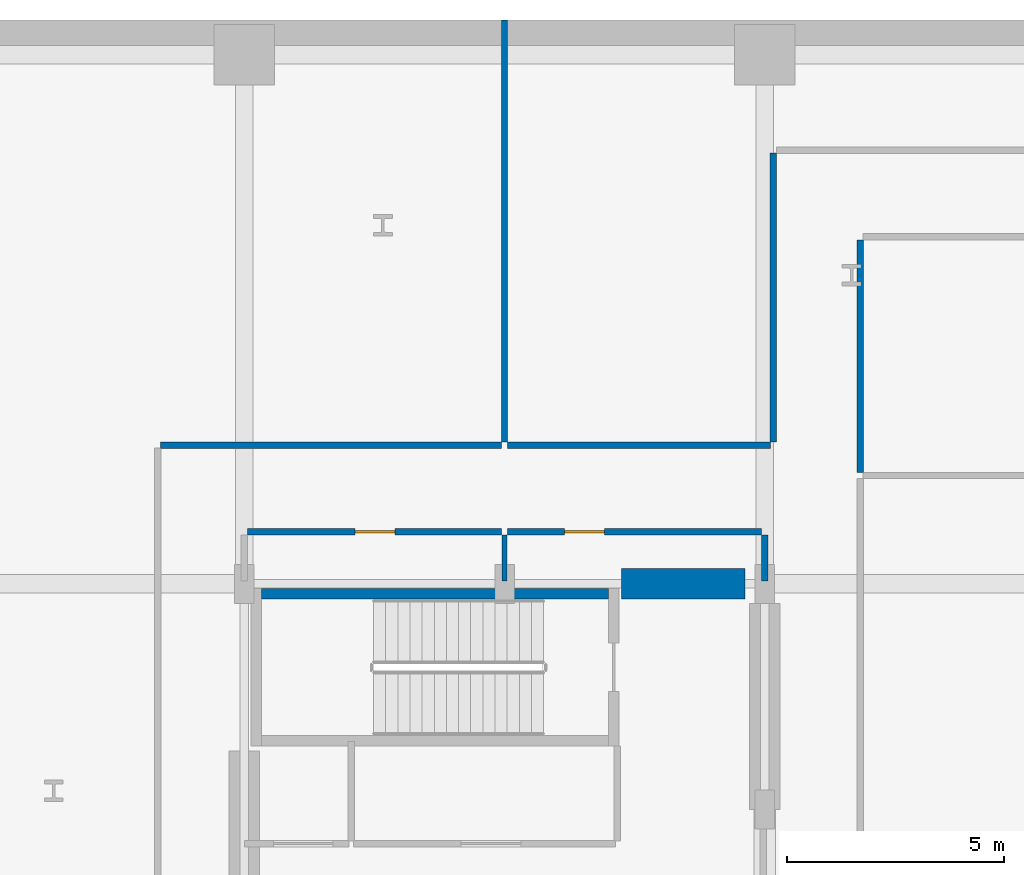
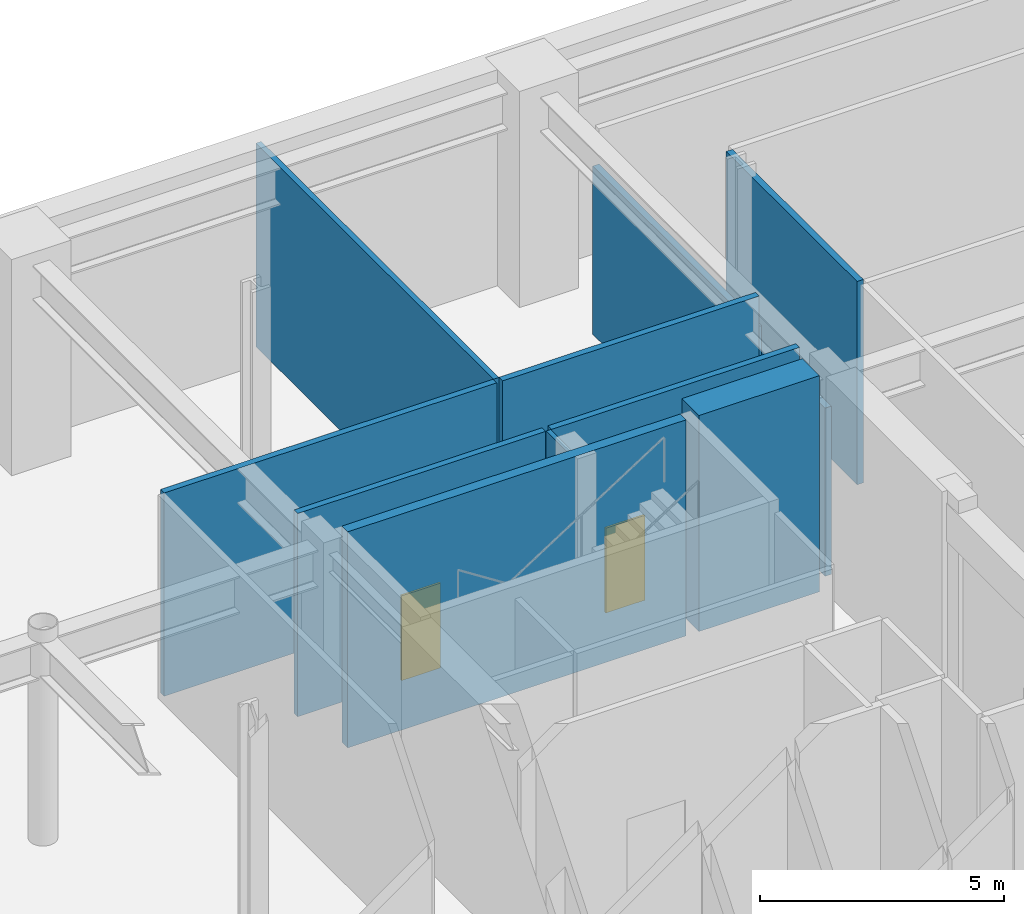
# One storey, part 18 of 25: 11 walls, 2 doors, 2 openings.
"""IFC4 building model written with IfcOpenShell, lengths in metres."""

from ifc_helpers import new_model, si_unit, direction, frame, frame_2d, origin, place, context, subcontext, project, spatial, rectangle, extrude, material, layer, layer_set, type_object, element, fill, save


model = new_model("IFC4")

# Units and contexts
model_context = context("Model", 3, precision=1e-05, world=origin(), true_north=direction((0.0, 1.0)))
body_context = subcontext(model_context, "Body", "Model", "MODEL_VIEW")
ifc_project = project(units=[si_unit("LENGTHUNIT", "METRE"), si_unit("AREAUNIT", "SQUARE_METRE"), si_unit("VOLUMEUNIT", "CUBIC_METRE"), si_unit("PLANEANGLEUNIT", "RADIAN"), si_unit("MASSUNIT", "GRAM", prefix="KILO")], contexts=[model_context])

# Site, building, storey
site_placement = place(None, origin())
site = spatial("IfcSite", under=ifc_project, at=site_placement, CompositionType="ELEMENT")
building_placement = place(site_placement, origin())
building = spatial("IfcBuilding", under=site, at=building_placement, Name="Soratama Intermodal Tower", CompositionType="ELEMENT")
storey_placement = place(building_placement, frame((0.0, 0.0, -5.39990234375)))
storey = spatial("IfcBuildingStorey", under=building, at=storey_placement, Name="B1", CompositionType="ELEMENT", Elevation=-5.39990234375)

# Walls
ifc_material_1 = material(Name="Fire-rated gypsum stud partition", Category="concrete")
ifc_layer_1 = layer(ifc_material_1, 0.14990234375)
ifc_layer_set_1 = layer_set([ifc_layer_1], Name="Fire-rated gypsum stud partition")
wall_type_1 = type_object("IfcWallType", Name="IW-PART-R150", PredefinedType="PARTITIONING", material=ifc_layer_set_1)
wall_1_placement = place(storey_placement, frame((30.669921875, 38.199951171875, 0.0), z_axis=(0.0, 0.0, 1.0), x_axis=(1.0, 0.0, 0.0)))
element("IfcWall", 1, at=wall_1_placement, inside=storey, type_object=wall_type_1, Name="B1 Partition W-B1-TP016", PredefinedType="PARTITIONING", context=body_context, shape_type="SweptSolid", body=[
    extrude(rectangle(XDim=7.860107421875, YDim=0.14990234375, at=frame_2d((3.93017578125, 0.0))), origin(), (0.0, 0.0, 1.0), 5.079833984375),
])
wall_2_placement = place(storey_placement, frame((44.800048828125, 38.27001953125, 0.0), z_axis=(0.0, 0.0, 1.0), x_axis=(0.0, 1.0, 0.0)))
element("IfcWall", 2, at=wall_2_placement, inside=storey, type_object=wall_type_1, Name="B1 Partition W-B1-TP019", PredefinedType="PARTITIONING", context=body_context, shape_type="SweptSolid", body=[
    extrude(rectangle(XDim=6.659912109375, YDim=0.14990234375, at=frame_2d((3.330078125, 0.0))), origin(), (0.0, 0.0, 1.0), 4.201904296875),
])
wall_3_placement = place(storey_placement, frame((38.669921875, 38.199951171875, 0.0), z_axis=(0.0, 0.0, 1.0), x_axis=(1.0, 0.0, 0.0)))
element("IfcWall", 3, at=wall_3_placement, inside=storey, type_object=wall_type_1, Name="B1 Partition W-B1-TP021", PredefinedType="PARTITIONING", context=body_context, shape_type="SweptSolid", body=[
    extrude(rectangle(XDim=6.06005859375, YDim=0.14990234375, at=frame_2d((3.030029296875, 0.0))), origin(), (0.0, 0.0, 1.0), 5.079833984375),
])

# Wall, opening, door
wall_4_placement = place(storey_placement, frame((38.530029296875, 36.199951171875, 0.0), z_axis=(0.0, 0.0, 1.0), x_axis=(-1.0, 0.0, 0.0)))
wall_4 = element("IfcWall", 4, at=wall_4_placement, inside=storey, type_object=wall_type_1, Name="B1 Partition W-B1-TP023", PredefinedType="PARTITIONING", context=body_context, shape_type="SweptSolid", body=[
    extrude(rectangle(XDim=5.860107421875, YDim=0.14990234375, at=frame_2d((2.93017578125, 0.0))), origin(), (0.0, 0.0, 1.0), 5.079833984375),
])
opening_1_placement = place(wall_4_placement, frame((2.455078125, 0.0, 0.0)))
opening_1 = element("IfcOpeningElement", 5, at=opening_1_placement, cuts=wall_4, Name="Opening ID-6", PredefinedType="OPENING", context=body_context, shape_type="SweptSolid", body=[
    extrude(rectangle(XDim=0.919921875, YDim=2.1201171875, at=frame_2d((0.4599609375, 1.06005859375))), frame((0.0, 0.0849609375, 0.0), z_axis=(0.0, -1.0, 0.0), x_axis=(1.0, 0.0, 0.0)), (0.0, 0.0, 1.0), 0.169921875),
])
ifc_material_2 = material(Name="Solid hardwood acoustic door", Category="wood")
door_type = type_object("IfcDoorType", Name="DR-ROOM-920", OperationType="NOTDEFINED", PredefinedType="DOOR", material=ifc_material_2)
door_1_placement = place(opening_1_placement, origin())
door_1 = element("IfcDoor", 6, at=door_1_placement, inside=storey, type_object=door_type, Name="B1 Door D-B1-TP008", OperationType="SINGLE_SWING_LEFT", OverallHeight=2.1201171875, OverallWidth=0.919921875, PredefinedType="DOOR", context=body_context, shape_type="SweptSolid", body=[
    extrude(rectangle(XDim=0.919921875, YDim=2.1201171875, at=frame_2d((0.4599609375, 1.06005859375))), frame((0.0, 0.02490234375, 0.0), z_axis=(0.0, -1.0, 0.0), x_axis=(1.0, 0.0, 0.0)), (0.0, 0.0, 1.0), 0.050048828125),
])
fill(opening_1, door_1)

wall_5_placement = place(storey_placement, frame((44.530029296875, 36.199951171875, 0.0), z_axis=(0.0, 0.0, 1.0), x_axis=(-1.0, 0.0, 0.0)))
wall_5 = element("IfcWall", 7, at=wall_5_placement, inside=storey, type_object=wall_type_1, Name="B1 Partition W-B1-TP024", PredefinedType="PARTITIONING", context=body_context, shape_type="SweptSolid", body=[
    extrude(rectangle(XDim=5.860107421875, YDim=0.14990234375, at=frame_2d((2.93017578125, 0.0))), origin(), (0.0, 0.0, 1.0), 5.079833984375),
])
opening_2_placement = place(wall_5_placement, frame((3.626953125, 0.0, 0.0)))
opening_2 = element("IfcOpeningElement", 8, at=opening_2_placement, cuts=wall_5, Name="Opening ID-6", PredefinedType="OPENING", context=body_context, shape_type="SweptSolid", body=[
    extrude(rectangle(XDim=0.919921875, YDim=2.1201171875, at=frame_2d((0.4599609375, 1.06005859375))), frame((0.0, 0.0849609375, 0.0), z_axis=(0.0, -1.0, 0.0), x_axis=(1.0, 0.0, 0.0)), (0.0, 0.0, 1.0), 0.169921875),
])
door_2_placement = place(opening_2_placement, origin())
door_2 = element("IfcDoor", 9, at=door_2_placement, inside=storey, type_object=door_type, Name="B1 Door D-B1-TP009", OperationType="SINGLE_SWING_RIGHT", OverallHeight=2.1201171875, OverallWidth=0.919921875, PredefinedType="DOOR", context=body_context, shape_type="SweptSolid", body=[
    extrude(rectangle(XDim=0.919921875, YDim=2.1201171875, at=frame_2d((0.4599609375, 1.06005859375))), frame((0.0, 0.02490234375, 0.0), z_axis=(0.0, -1.0, 0.0), x_axis=(1.0, 0.0, 0.0)), (0.0, 0.0, 1.0), 0.050048828125),
])
fill(opening_2, door_2)

# Walls
wall_6_placement = place(storey_placement, frame((46.800048828125, 42.929931640625, 0.0), z_axis=(0.0, 0.0, 1.0), x_axis=(0.0, -1.0, 0.0)))
element("IfcWall", 10, at=wall_6_placement, inside=storey, type_object=wall_type_1, Name="B1 Partition W-B1-TP025", PredefinedType="PARTITIONING", context=body_context, shape_type="SweptSolid", body=[
    extrude(rectangle(XDim=5.35986328125, YDim=0.14990234375, at=frame_2d((2.679931640625, 0.0))), origin(), (0.0, 0.0, 1.0), 5.079833984375),
])
wall_7_placement = place(storey_placement, frame((44.60009765625, 35.070068359375, 0.0), z_axis=(0.0, 0.0, 1.0), x_axis=(0.0, 1.0, 0.0)))
element("IfcWall", 11, at=wall_7_placement, inside=storey, type_object=wall_type_1, Name="B1 Partition W-B1-TP044", PredefinedType="PARTITIONING", context=body_context, shape_type="SweptSolid", body=[
    extrude(rectangle(XDim=1.059814453125, YDim=0.14990234375, at=frame_2d((0.52978515625, 0.0))), origin(), (0.0, 0.0, 1.0), 4.201904296875),
])
ifc_material_3 = material(Name="Fire-rated gypsum stud partition", Category="concrete")
ifc_layer_2 = layer(ifc_material_3, 0.110107421875)
ifc_layer_set_2 = layer_set([ifc_layer_2], Name="Fire-rated gypsum stud partition")
wall_type_2 = type_object("IfcWallType", Name="IW-PART-S110", PredefinedType="PARTITIONING", material=ifc_layer_set_2)
wall_8_placement = place(storey_placement, frame((38.60009765625, 36.1298828125, 0.0), z_axis=(0.0, 0.0, 1.0), x_axis=(0.0, -1.0, 0.0)))
element("IfcWall", 12, at=wall_8_placement, inside=storey, type_object=wall_type_2, Name="B1 Partition W-B1-TP045", PredefinedType="PARTITIONING", context=body_context, shape_type="SweptSolid", body=[
    extrude(rectangle(XDim=1.059814453125, YDim=0.110107421875, at=frame_2d((0.52978515625, 0.0))), origin(), (0.0, 0.0, 1.0), 5.079833984375),
])
ifc_material_4 = material(Name="Fire-rated gypsum stud partition", Category="concrete")
ifc_layer_3 = layer(ifc_material_4, 0.1298828125)
ifc_layer_set_3 = layer_set([ifc_layer_3], Name="Fire-rated gypsum stud partition")
wall_type_3 = type_object("IfcWallType", Name="IW-PART-S130", PredefinedType="PARTITIONING", material=ifc_layer_set_3)
wall_9_placement = place(storey_placement, frame((38.60009765625, 48.0, 0.0), z_axis=(0.0, 0.0, 1.0), x_axis=(0.0, -1.0, 0.0)))
element("IfcWall", 13, at=wall_9_placement, inside=storey, type_object=wall_type_3, Name="B1 Partition W-B1-TP013", PredefinedType="PARTITIONING", context=body_context, shape_type="SweptSolid", body=[
    extrude(rectangle(XDim=9.72998046875, YDim=0.1298828125, at=frame_2d((4.864990234375, 0.0))), origin(), (0.0, 0.0, 1.0), 5.079833984375),
])
ifc_material_5 = material(Name="Concrete f'c 56 MPa", Category="concrete")
ifc_layer_4 = layer(ifc_material_5, 0.699951171875)
ifc_layer_set_4 = layer_set([ifc_layer_4], Name="Concrete f'c 56 MPa")
wall_type_4 = type_object("IfcWallType", Name="SW-CORE-700", PredefinedType="SHEAR", material=ifc_layer_set_4)
wall_10_placement = place(storey_placement, frame((41.300048828125, 35.0, 0.0), z_axis=(0.0, 0.0, 1.0), x_axis=(1.0, 0.0, 0.0)))
element("IfcWall", 14, at=wall_10_placement, inside=storey, type_object=wall_type_4, Name="B1 Core Shear Wall CW-NE", PredefinedType="SHEAR", context=body_context, shape_type="SweptSolid", body=[
    extrude(rectangle(XDim=2.849853515625, YDim=0.699951171875, at=frame_2d((1.4248046875, 0.0))), origin(), (0.0, 0.0, 1.0), 5.39990234375),
])
ifc_material_6 = material(Name="Concrete f'c 56 MPa", Category="concrete")
ifc_layer_5 = layer(ifc_material_6, 0.239990234375)
ifc_layer_set_5 = layer_set([ifc_layer_5], Name="Concrete f'c 56 MPa")
wall_type_5 = type_object("IfcWallType", Name="SW-STAIR-240", PredefinedType="SHEAR", material=ifc_layer_set_5)
wall_11_placement = place(storey_placement, frame((33.0, 34.77001953125, 0.0), z_axis=(0.0, 0.0, 1.0), x_axis=(1.0, 0.0, 0.0)))
element("IfcWall", 15, at=wall_11_placement, inside=storey, type_object=wall_type_5, Name="B1 ST-2 Shaft Shear Wall N", PredefinedType="SHEAR", context=body_context, shape_type="SweptSolid", body=[
    extrude(rectangle(XDim=8.0, YDim=0.239990234375, at=frame_2d((4.0, 0.0))), origin(), (0.0, 0.0, 1.0), 5.39990234375),
])

save(model, "model.ifc")
